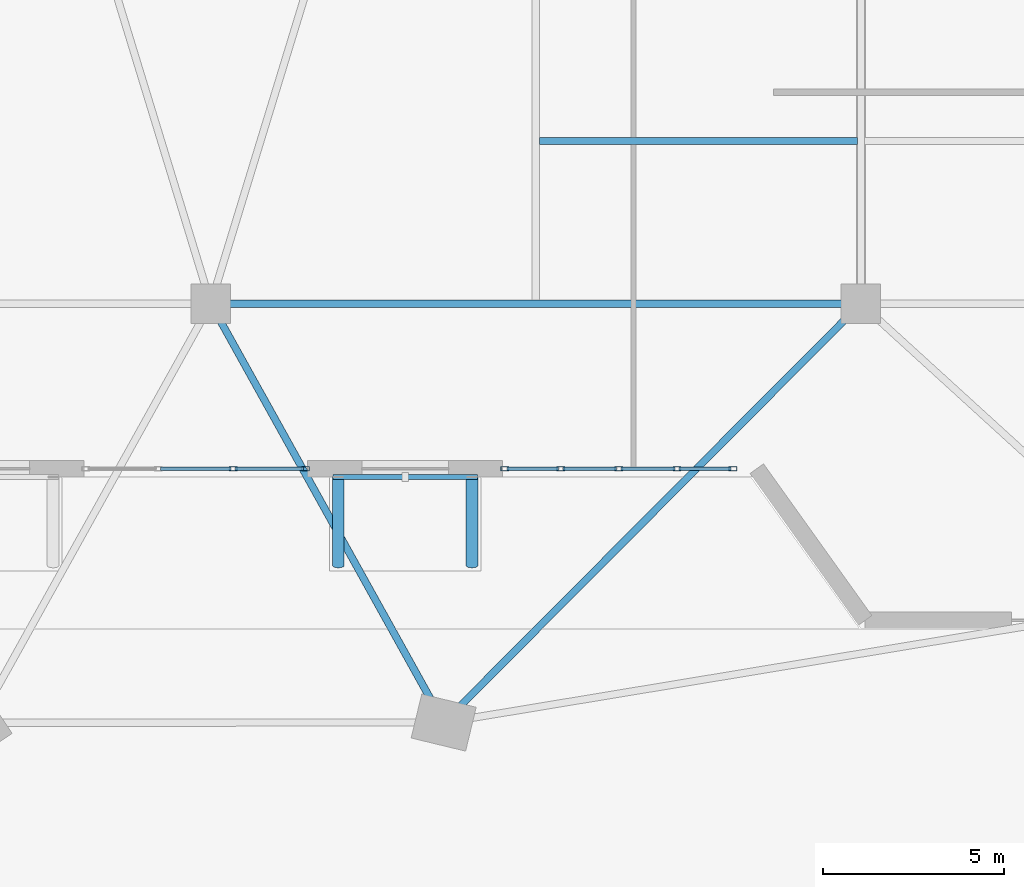
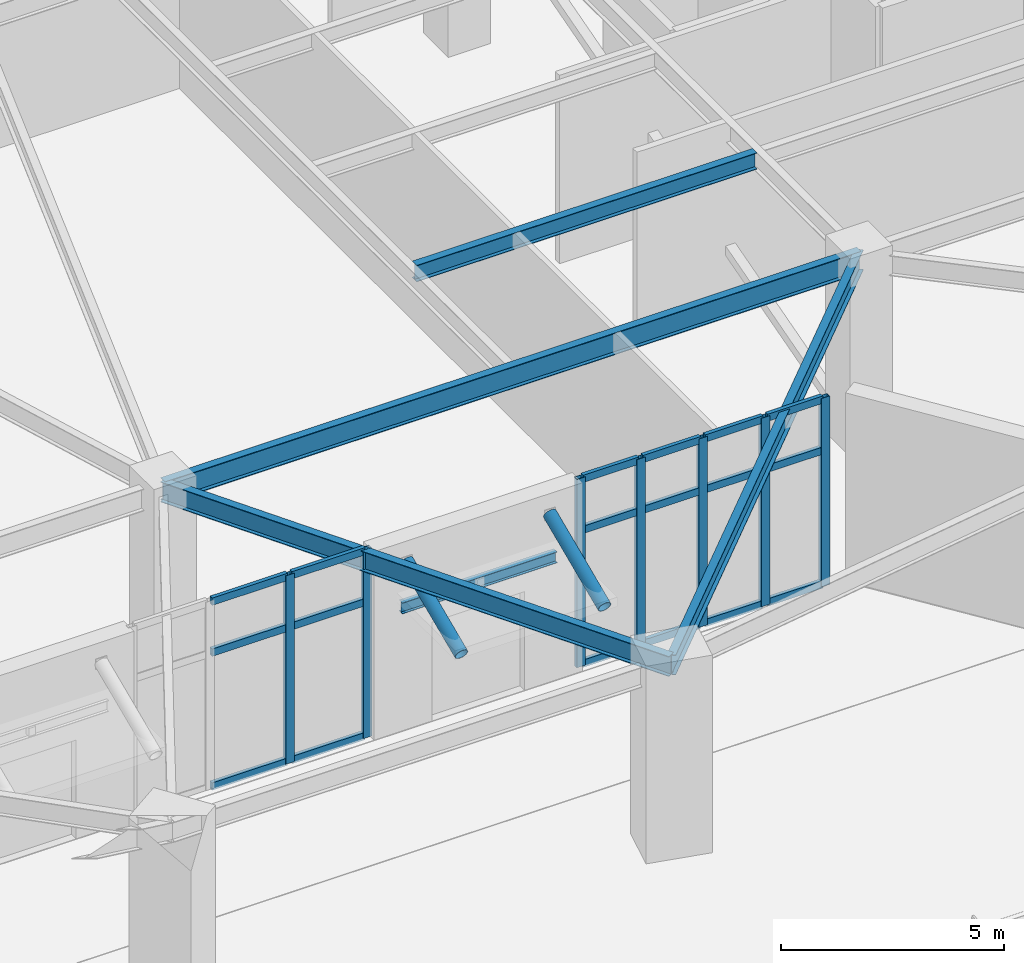
# One storey, part 6 of 30: 27 members, 5 beams, 2 elements without a shape of their own.
"""IFC4 building model written with IfcOpenShell, lengths in metres."""

from ifc_helpers import new_model, si_unit, direction, frame, origin, origin_2d, place, context, subcontext, project, spatial, hollow_rectangle, hollow_circle, i_section, extrude, source, transform, mapped, material, layer, layer_set, material_profile, profile_set, type_object, element, aggregate, save


model = new_model("IFC4")

# Units and contexts
model_context = context("Model", 3, precision=1e-05, world=origin(), true_north=direction((0.0, 1.0)))
body_context = subcontext(model_context, "Body", "Model", "MODEL_VIEW")
ifc_project = project(units=[si_unit("LENGTHUNIT", "METRE"), si_unit("AREAUNIT", "SQUARE_METRE"), si_unit("VOLUMEUNIT", "CUBIC_METRE"), si_unit("PLANEANGLEUNIT", "RADIAN"), si_unit("MASSUNIT", "GRAM", prefix="KILO")], contexts=[model_context])

# Site, building, storey
site_placement = place(None, origin())
site = spatial("IfcSite", under=ifc_project, at=site_placement, CompositionType="ELEMENT")
building_placement = place(site_placement, origin())
building = spatial("IfcBuilding", under=site, at=building_placement, Name="Liaohun Quay Tower", CompositionType="ELEMENT")
storey_placement = place(building_placement, origin())
storey = spatial("IfcBuildingStorey", under=building, at=storey_placement, Name="L01", CompositionType="ELEMENT", Elevation=0.0)

# Beams
ifc_material_1 = material(Name="Steel Q355D", Category="steel")
ifc_material_profile_1 = material_profile(ifc_material_1, i_section(OverallWidth=0.199951171875, OverallDepth=0.449951171875, WebThickness=0.009033203125, FlangeThickness=0.013916015625, at=origin_2d()), Name="HN450x200x9x14")
ifc_profile_set_1 = profile_set([ifc_material_profile_1], Name="Steel Q355D")
beam_type_1 = type_object("IfcBeamType", Name="BM-SEC-J1", PredefinedType="JOIST", material=ifc_profile_set_1)
shared_shape_1 = source(origin(), body_context, "Body", "SweptSolid", [
    extrude(i_section(OverallWidth=0.199951171875, OverallDepth=0.449951171875, WebThickness=0.009033203125, FlangeThickness=0.013916015625, at=origin_2d()), origin(), (0.0, 0.0, 1.0), 8.7998046875),
])
beam_1_placement = place(storey_placement, frame((69.10009765625, 28.5, 4.925048828125), z_axis=(1.0, 0.0, 0.0), x_axis=(0.0, 1.0, 0.0)))
element("IfcBeam", 1, at=beam_1_placement, inside=storey, type_object=beam_type_1, Name="L01 Composite Floor Joist SJ-23", PredefinedType="JOIST", context=body_context, shape_type="MappedRepresentation", body=[
    mapped(shared_shape_1, transform((0.0, 0.0, 0.0), x_axis=(1.0, 0.0, 0.0), y_axis=(0.0, 1.0, 0.0), z_axis=(0.0, 0.0, 1.0), scale=1.0)),
])
ifc_material_profile_2 = material_profile(ifc_material_1, i_section(OverallWidth=0.199951171875, OverallDepth=0.60009765625, WebThickness=0.010986328125, FlangeThickness=0.01708984375, at=origin_2d()), Name="HN600x200x11x17")
ifc_profile_set_2 = profile_set([ifc_material_profile_2], Name="Steel Q355D")
beam_type_2 = type_object("IfcBeamType", Name="BM-POD-G1", PredefinedType="BEAM", material=ifc_profile_set_2)
shared_shape_2 = source(origin(), body_context, "Body", "SweptSolid", [
    extrude(i_section(OverallWidth=0.199951171875, OverallDepth=0.60009765625, WebThickness=0.010986328125, FlangeThickness=0.01708984375, at=origin_2d()), origin(), (0.0, 0.0, 1.0), 18.0),
])
beam_2_placement = place(storey_placement, frame((60.0, 24.0, 4.85009765625), z_axis=(1.0, 0.0, 0.0), x_axis=(0.0, 1.0, 0.0)))
element("IfcBeam", 2, at=beam_2_placement, inside=storey, type_object=beam_type_2, Name="L01 Primary Grid Girder PG03-PG04", PredefinedType="BEAM", context=body_context, shape_type="MappedRepresentation", body=[
    mapped(shared_shape_2, transform((0.0, 0.0, 0.0), x_axis=(1.0, 0.0, 0.0), y_axis=(0.0, 1.0, 0.0), z_axis=(0.0, 0.0, 1.0), scale=1.0)),
])
ifc_material_profile_3 = material_profile(ifc_material_1, i_section(OverallWidth=0.199951171875, OverallDepth=0.550048828125, WebThickness=0.010009765625, FlangeThickness=0.01611328125, at=origin_2d()), Name="HN550x200x10x16")
ifc_profile_set_3 = profile_set([ifc_material_profile_3], Name="Steel Q355D")
beam_type_3 = type_object("IfcBeamType", Name="BM-POD-G2", PredefinedType="BEAM", material=ifc_profile_set_3)
shared_shape_3 = source(origin(), body_context, "Body", "SweptSolid", [
    extrude(i_section(OverallWidth=0.199951171875, OverallDepth=0.550048828125, WebThickness=0.010009765625, FlangeThickness=0.01611328125, at=origin_2d()), origin(), (0.0, 0.0, 1.0), 13.272705078125),
])
beam_3_placement = place(storey_placement, frame((66.447998046875, 12.39892578125, 4.875), z_axis=(-0.485813156466, 0.874062684826, 0.0), x_axis=(-0.874062684826, -0.485813156466, 0.0)))
element("IfcBeam", 3, at=beam_3_placement, inside=storey, type_object=beam_type_3, Name="L01 Primary Grid Girder PC11-PG03", PredefinedType="BEAM", context=body_context, shape_type="MappedRepresentation", body=[
    mapped(shared_shape_3, transform((0.0, 0.0, 0.0), x_axis=(1.0, 0.0, 0.0), y_axis=(0.0, 1.0, 0.0), z_axis=(0.0, 0.0, 1.0), scale=1.0)),
])
shared_shape_4 = source(origin(), body_context, "Body", "SweptSolid", [
    extrude(i_section(OverallWidth=0.199951171875, OverallDepth=0.550048828125, WebThickness=0.010009765625, FlangeThickness=0.01611328125, at=origin_2d()), origin(), (0.0, 0.0, 1.0), 16.371826171875),
])
beam_4_placement = place(storey_placement, frame((66.447998046875, 12.39892578125, 4.875), z_axis=(0.705606504265, 0.708603881685, 0.0), x_axis=(-0.708603881685, 0.705606504265, 0.0)))
element("IfcBeam", 4, at=beam_4_placement, inside=storey, type_object=beam_type_3, Name="L01 Primary Grid Girder PC11-PG04", PredefinedType="BEAM", context=body_context, shape_type="MappedRepresentation", body=[
    mapped(shared_shape_4, transform((0.0, 0.0, 0.0), x_axis=(1.0, 0.0, 0.0), y_axis=(0.0, 1.0, 0.0), z_axis=(0.0, 0.0, 1.0), scale=1.0)),
])

# Curtain wall, members
ifc_material_2 = material(Name="Thermally broken waterfront lobby unitised curtain wall")
ifc_layer = layer(ifc_material_2, 0.219970703125, Name="Thermally broken waterfront lobby unitised curtain wall")
ifc_layer_set = layer_set([ifc_layer], Name="Thermally broken waterfront lobby unitised curtain wall")
curtain_wall_type = type_object("IfcCurtainWallType", Name="CW-POD-PROM", PredefinedType="NOTDEFINED", material=ifc_layer_set)
curtain_wall_1_placement = place(storey_placement, origin())
curtain_wall_1 = element("IfcCurtainWall", 5, at=curtain_wall_1_placement, inside=storey, type_object=curtain_wall_type, Name="L01 Waterfront Lobby Curtain Wall CW1-2", PredefinedType="NOTDEFINED")
ifc_material_3 = material(Name="Anodised aluminium 6063-T6", Category="aluminium")
ifc_material_profile_4 = material_profile(ifc_material_3, hollow_rectangle(XDim=0.1201171875, YDim=0.219970703125, WallThickness=0.008056640625, at=origin_2d()), Name="RHS220x120x8")
ifc_profile_set_4 = profile_set([ifc_material_profile_4], Name="Anodised aluminium 6063-T6")
member_type_1 = type_object("IfcMemberType", Name="MEM-CWM-LOB", PredefinedType="MULLION", material=ifc_profile_set_4)
shared_shape_5 = source(origin(), body_context, "Body", "SweptSolid", [
    extrude(hollow_rectangle(XDim=0.1201171875, YDim=0.219970703125, WallThickness=0.008056640625, at=origin_2d()), origin(), (0.0, 0.0, 1.0), 5.14990234375),
])
member_1_placement = place(storey_placement, frame((60.615234375, 19.429931640625, 0.0), z_axis=(0.0, 0.0, 1.0), x_axis=(0.0, 1.0, 0.0)))
member_1 = element("IfcMember", 6, at=member_1_placement, type_object=member_type_1, Name="CW1 mullion 3", PredefinedType="MULLION", context=body_context, shape_type="MappedRepresentation", body=[
    mapped(shared_shape_5, transform((0.0, 0.0, 0.0), x_axis=(1.0, 0.0, 0.0), y_axis=(0.0, 1.0, 0.0), z_axis=(0.0, 0.0, 1.0), scale=1.0)),
])
member_2_placement = place(storey_placement, frame((62.6220703125, 19.429931640625, 0.0), z_axis=(0.0, 0.0, 1.0), x_axis=(0.0, 1.0, 0.0)))
member_2 = element("IfcMember", 7, at=member_2_placement, type_object=member_type_1, Name="CW1 mullion 4", PredefinedType="MULLION", context=body_context, shape_type="MappedRepresentation", body=[
    mapped(shared_shape_5, transform((0.0, 0.0, 0.0), x_axis=(1.0, 0.0, 0.0), y_axis=(0.0, 1.0, 0.0), z_axis=(0.0, 0.0, 1.0), scale=1.0)),
])

curtain_wall_2_placement = place(storey_placement, origin())
curtain_wall_2 = element("IfcCurtainWall", 8, at=curtain_wall_2_placement, inside=storey, type_object=curtain_wall_type, Name="L01 Waterfront Lobby Curtain Wall CW1-3", PredefinedType="NOTDEFINED")
member_3_placement = place(storey_placement, frame((68.14208984375, 19.429931640625, 0.0), z_axis=(0.0, 0.0, 1.0), x_axis=(0.0, 1.0, 0.0)))
member_3 = element("IfcMember", 9, at=member_3_placement, type_object=member_type_1, Name="CW1 mullion 1", PredefinedType="MULLION", context=body_context, shape_type="MappedRepresentation", body=[
    mapped(shared_shape_5, transform((0.0, 0.0, 0.0), x_axis=(1.0, 0.0, 0.0), y_axis=(0.0, 1.0, 0.0), z_axis=(0.0, 0.0, 1.0), scale=1.0)),
])
member_4_placement = place(storey_placement, frame((69.69091796875, 19.429931640625, 0.0), z_axis=(0.0, 0.0, 1.0), x_axis=(0.0, 1.0, 0.0)))
member_4 = element("IfcMember", 10, at=member_4_placement, type_object=member_type_1, Name="CW1 mullion 2", PredefinedType="MULLION", context=body_context, shape_type="MappedRepresentation", body=[
    mapped(shared_shape_5, transform((0.0, 0.0, 0.0), x_axis=(1.0, 0.0, 0.0), y_axis=(0.0, 1.0, 0.0), z_axis=(0.0, 0.0, 1.0), scale=1.0)),
])
member_5_placement = place(storey_placement, frame((71.300048828125, 19.429931640625, 0.0), z_axis=(0.0, 0.0, 1.0), x_axis=(0.0, 1.0, 0.0)))
member_5 = element("IfcMember", 11, at=member_5_placement, type_object=member_type_1, Name="CW1 mullion 3", PredefinedType="MULLION", context=body_context, shape_type="MappedRepresentation", body=[
    mapped(shared_shape_5, transform((0.0, 0.0, 0.0), x_axis=(1.0, 0.0, 0.0), y_axis=(0.0, 1.0, 0.0), z_axis=(0.0, 0.0, 1.0), scale=1.0)),
])
member_6_placement = place(storey_placement, frame((72.908935546875, 19.429931640625, 0.0), z_axis=(0.0, 0.0, 1.0), x_axis=(0.0, 1.0, 0.0)))
member_6 = element("IfcMember", 12, at=member_6_placement, type_object=member_type_1, Name="CW1 mullion 4", PredefinedType="MULLION", context=body_context, shape_type="MappedRepresentation", body=[
    mapped(shared_shape_5, transform((0.0, 0.0, 0.0), x_axis=(1.0, 0.0, 0.0), y_axis=(0.0, 1.0, 0.0), z_axis=(0.0, 0.0, 1.0), scale=1.0)),
])
member_7_placement = place(storey_placement, frame((74.4580078125, 19.429931640625, 0.0), z_axis=(0.0, 0.0, 1.0), x_axis=(0.0, 1.0, 0.0)))
member_7 = element("IfcMember", 13, at=member_7_placement, type_object=member_type_1, Name="CW1 mullion 5", PredefinedType="MULLION", context=body_context, shape_type="MappedRepresentation", body=[
    mapped(shared_shape_5, transform((0.0, 0.0, 0.0), x_axis=(1.0, 0.0, 0.0), y_axis=(0.0, 1.0, 0.0), z_axis=(0.0, 0.0, 1.0), scale=1.0)),
])

# Member
ifc_material_profile_5 = material_profile(ifc_material_3, hollow_rectangle(XDim=0.10009765625, YDim=0.199951171875, WallThickness=0.006103515625, at=origin_2d()), Name="RHS200x100x6")
ifc_profile_set_5 = profile_set([ifc_material_profile_5], Name="Anodised aluminium 6063-T6")
member_type_2 = type_object("IfcMemberType", Name="MEM-CWT-LOB", PredefinedType="USERDEFINED", material=ifc_profile_set_5)
shared_shape_6 = source(origin(), body_context, "Body", "SweptSolid", [
    extrude(hollow_rectangle(XDim=0.10009765625, YDim=0.199951171875, WallThickness=0.006103515625, at=origin_2d()), origin(), (0.0, 0.0, 1.0), 1.88671875),
])
member_8_placement = place(storey_placement, frame((60.67529296875, 19.429931640625, 0.050048828125), z_axis=(1.0, 0.0, 0.0), x_axis=(0.0, 1.0, 0.0)))
member_8 = element("IfcMember", 14, at=member_8_placement, type_object=member_type_2, Name="CW1 transom 3.1", ObjectType="TRANSOM", PredefinedType="USERDEFINED", context=body_context, shape_type="MappedRepresentation", body=[
    mapped(shared_shape_6, transform((0.0, 0.0, 0.0), x_axis=(1.0, 0.0, 0.0), y_axis=(0.0, 1.0, 0.0), z_axis=(0.0, 0.0, 1.0), scale=1.0)),
])

member_9_placement = place(storey_placement, frame((60.67529296875, 19.429931640625, 3.7080078125), z_axis=(1.0, 0.0, 0.0), x_axis=(0.0, 1.0, 0.0)))
member_9 = element("IfcMember", 15, at=member_9_placement, type_object=member_type_2, Name="CW1 transom 3.2", ObjectType="TRANSOM", PredefinedType="USERDEFINED", context=body_context, shape_type="MappedRepresentation", body=[
    mapped(shared_shape_6, transform((0.0, 0.0, 0.0), x_axis=(1.0, 0.0, 0.0), y_axis=(0.0, 1.0, 0.0), z_axis=(0.0, 0.0, 1.0), scale=1.0)),
])

member_10_placement = place(storey_placement, frame((60.67529296875, 19.429931640625, 5.10009765625), z_axis=(1.0, 0.0, 0.0), x_axis=(0.0, 1.0, 0.0)))
member_10 = element("IfcMember", 16, at=member_10_placement, type_object=member_type_2, Name="CW1 transom 3.3", ObjectType="TRANSOM", PredefinedType="USERDEFINED", context=body_context, shape_type="MappedRepresentation", body=[
    mapped(shared_shape_6, transform((0.0, 0.0, 0.0), x_axis=(1.0, 0.0, 0.0), y_axis=(0.0, 1.0, 0.0), z_axis=(0.0, 0.0, 1.0), scale=1.0)),
])

shared_shape_7 = source(origin(), body_context, "Body", "SweptSolid", [
    extrude(hollow_rectangle(XDim=0.10009765625, YDim=0.199951171875, WallThickness=0.006103515625, at=origin_2d()), origin(), (0.0, 0.0, 1.0), 1.94677734375),
])
member_11_placement = place(storey_placement, frame((58.608642578125, 19.429931640625, 0.050048828125), z_axis=(1.0, 0.0, 0.0), x_axis=(0.0, 1.0, 0.0)))
member_11 = element("IfcMember", 17, at=member_11_placement, type_object=member_type_2, Name="CW1 transom 2.1", ObjectType="TRANSOM", PredefinedType="USERDEFINED", context=body_context, shape_type="MappedRepresentation", body=[
    mapped(shared_shape_7, transform((0.0, 0.0, 0.0), x_axis=(1.0, 0.0, 0.0), y_axis=(0.0, 1.0, 0.0), z_axis=(0.0, 0.0, 1.0), scale=1.0)),
])

member_12_placement = place(storey_placement, frame((58.608642578125, 19.429931640625, 3.7080078125), z_axis=(1.0, 0.0, 0.0), x_axis=(0.0, 1.0, 0.0)))
member_12 = element("IfcMember", 18, at=member_12_placement, type_object=member_type_2, Name="CW1 transom 2.2", ObjectType="TRANSOM", PredefinedType="USERDEFINED", context=body_context, shape_type="MappedRepresentation", body=[
    mapped(shared_shape_7, transform((0.0, 0.0, 0.0), x_axis=(1.0, 0.0, 0.0), y_axis=(0.0, 1.0, 0.0), z_axis=(0.0, 0.0, 1.0), scale=1.0)),
])

member_13_placement = place(storey_placement, frame((58.608642578125, 19.429931640625, 5.10009765625), z_axis=(1.0, 0.0, 0.0), x_axis=(0.0, 1.0, 0.0)))
member_13 = element("IfcMember", 19, at=member_13_placement, type_object=member_type_2, Name="CW1 transom 2.3", ObjectType="TRANSOM", PredefinedType="USERDEFINED", context=body_context, shape_type="MappedRepresentation", body=[
    mapped(shared_shape_7, transform((0.0, 0.0, 0.0), x_axis=(1.0, 0.0, 0.0), y_axis=(0.0, 1.0, 0.0), z_axis=(0.0, 0.0, 1.0), scale=1.0)),
])

aggregate(curtain_wall_1, [member_1, member_2, member_11, member_12, member_13, member_8, member_9, member_10])

shared_shape_8 = source(origin(), body_context, "Body", "SweptSolid", [
    extrude(hollow_rectangle(XDim=0.10009765625, YDim=0.199951171875, WallThickness=0.006103515625, at=origin_2d()), origin(), (0.0, 0.0, 1.0), 1.42919921875),
])
member_14_placement = place(storey_placement, frame((68.201904296875, 19.429931640625, 0.050048828125), z_axis=(1.0, 0.0, 0.0), x_axis=(0.0, 1.0, 0.0)))
member_14 = element("IfcMember", 20, at=member_14_placement, type_object=member_type_2, Name="CW1 transom 1.1", ObjectType="TRANSOM", PredefinedType="USERDEFINED", context=body_context, shape_type="MappedRepresentation", body=[
    mapped(shared_shape_8, transform((0.0, 0.0, 0.0), x_axis=(1.0, 0.0, 0.0), y_axis=(0.0, 1.0, 0.0), z_axis=(0.0, 0.0, 1.0), scale=1.0)),
])

member_15_placement = place(storey_placement, frame((68.201904296875, 19.429931640625, 3.7080078125), z_axis=(1.0, 0.0, 0.0), x_axis=(0.0, 1.0, 0.0)))
member_15 = element("IfcMember", 21, at=member_15_placement, type_object=member_type_2, Name="CW1 transom 1.2", ObjectType="TRANSOM", PredefinedType="USERDEFINED", context=body_context, shape_type="MappedRepresentation", body=[
    mapped(shared_shape_8, transform((0.0, 0.0, 0.0), x_axis=(1.0, 0.0, 0.0), y_axis=(0.0, 1.0, 0.0), z_axis=(0.0, 0.0, 1.0), scale=1.0)),
])

member_16_placement = place(storey_placement, frame((68.201904296875, 19.429931640625, 5.10009765625), z_axis=(1.0, 0.0, 0.0), x_axis=(0.0, 1.0, 0.0)))
member_16 = element("IfcMember", 22, at=member_16_placement, type_object=member_type_2, Name="CW1 transom 1.3", ObjectType="TRANSOM", PredefinedType="USERDEFINED", context=body_context, shape_type="MappedRepresentation", body=[
    mapped(shared_shape_8, transform((0.0, 0.0, 0.0), x_axis=(1.0, 0.0, 0.0), y_axis=(0.0, 1.0, 0.0), z_axis=(0.0, 0.0, 1.0), scale=1.0)),
])

shared_shape_9 = source(origin(), body_context, "Body", "SweptSolid", [
    extrude(hollow_rectangle(XDim=0.10009765625, YDim=0.199951171875, WallThickness=0.006103515625, at=origin_2d()), origin(), (0.0, 0.0, 1.0), 1.489013671875),
])
member_17_placement = place(storey_placement, frame((69.7509765625, 19.429931640625, 0.050048828125), z_axis=(1.0, 0.0, 0.0), x_axis=(0.0, 1.0, 0.0)))
member_17 = element("IfcMember", 23, at=member_17_placement, type_object=member_type_2, Name="CW1 transom 2.1", ObjectType="TRANSOM", PredefinedType="USERDEFINED", context=body_context, shape_type="MappedRepresentation", body=[
    mapped(shared_shape_9, transform((0.0, 0.0, 0.0), x_axis=(1.0, 0.0, 0.0), y_axis=(0.0, 1.0, 0.0), z_axis=(0.0, 0.0, 1.0), scale=1.0)),
])

member_18_placement = place(storey_placement, frame((69.7509765625, 19.429931640625, 3.7080078125), z_axis=(1.0, 0.0, 0.0), x_axis=(0.0, 1.0, 0.0)))
member_18 = element("IfcMember", 24, at=member_18_placement, type_object=member_type_2, Name="CW1 transom 2.2", ObjectType="TRANSOM", PredefinedType="USERDEFINED", context=body_context, shape_type="MappedRepresentation", body=[
    mapped(shared_shape_9, transform((0.0, 0.0, 0.0), x_axis=(1.0, 0.0, 0.0), y_axis=(0.0, 1.0, 0.0), z_axis=(0.0, 0.0, 1.0), scale=1.0)),
])

member_19_placement = place(storey_placement, frame((69.7509765625, 19.429931640625, 5.10009765625), z_axis=(1.0, 0.0, 0.0), x_axis=(0.0, 1.0, 0.0)))
member_19 = element("IfcMember", 25, at=member_19_placement, type_object=member_type_2, Name="CW1 transom 2.3", ObjectType="TRANSOM", PredefinedType="USERDEFINED", context=body_context, shape_type="MappedRepresentation", body=[
    mapped(shared_shape_9, transform((0.0, 0.0, 0.0), x_axis=(1.0, 0.0, 0.0), y_axis=(0.0, 1.0, 0.0), z_axis=(0.0, 0.0, 1.0), scale=1.0)),
])

member_20_placement = place(storey_placement, frame((71.360107421875, 19.429931640625, 0.050048828125), z_axis=(1.0, 0.0, 0.0), x_axis=(0.0, 1.0, 0.0)))
member_20 = element("IfcMember", 26, at=member_20_placement, type_object=member_type_2, Name="CW1 transom 3.1", ObjectType="TRANSOM", PredefinedType="USERDEFINED", context=body_context, shape_type="MappedRepresentation", body=[
    mapped(shared_shape_9, transform((0.0, 0.0, 0.0), x_axis=(1.0, 0.0, 0.0), y_axis=(0.0, 1.0, 0.0), z_axis=(0.0, 0.0, 1.0), scale=1.0)),
])

member_21_placement = place(storey_placement, frame((71.360107421875, 19.429931640625, 3.7080078125), z_axis=(1.0, 0.0, 0.0), x_axis=(0.0, 1.0, 0.0)))
member_21 = element("IfcMember", 27, at=member_21_placement, type_object=member_type_2, Name="CW1 transom 3.2", ObjectType="TRANSOM", PredefinedType="USERDEFINED", context=body_context, shape_type="MappedRepresentation", body=[
    mapped(shared_shape_9, transform((0.0, 0.0, 0.0), x_axis=(1.0, 0.0, 0.0), y_axis=(0.0, 1.0, 0.0), z_axis=(0.0, 0.0, 1.0), scale=1.0)),
])

member_22_placement = place(storey_placement, frame((71.360107421875, 19.429931640625, 5.10009765625), z_axis=(1.0, 0.0, 0.0), x_axis=(0.0, 1.0, 0.0)))
member_22 = element("IfcMember", 28, at=member_22_placement, type_object=member_type_2, Name="CW1 transom 3.3", ObjectType="TRANSOM", PredefinedType="USERDEFINED", context=body_context, shape_type="MappedRepresentation", body=[
    mapped(shared_shape_9, transform((0.0, 0.0, 0.0), x_axis=(1.0, 0.0, 0.0), y_axis=(0.0, 1.0, 0.0), z_axis=(0.0, 0.0, 1.0), scale=1.0)),
])

shared_shape_10 = source(origin(), body_context, "Body", "SweptSolid", [
    extrude(hollow_rectangle(XDim=0.10009765625, YDim=0.199951171875, WallThickness=0.006103515625, at=origin_2d()), origin(), (0.0, 0.0, 1.0), 1.428955078125),
])
member_23_placement = place(storey_placement, frame((72.968994140625, 19.429931640625, 0.050048828125), z_axis=(1.0, 0.0, 0.0), x_axis=(0.0, 1.0, 0.0)))
member_23 = element("IfcMember", 29, at=member_23_placement, type_object=member_type_2, Name="CW1 transom 4.1", ObjectType="TRANSOM", PredefinedType="USERDEFINED", context=body_context, shape_type="MappedRepresentation", body=[
    mapped(shared_shape_10, transform((0.0, 0.0, 0.0), x_axis=(1.0, 0.0, 0.0), y_axis=(0.0, 1.0, 0.0), z_axis=(0.0, 0.0, 1.0), scale=1.0)),
])

member_24_placement = place(storey_placement, frame((72.968994140625, 19.429931640625, 3.7080078125), z_axis=(1.0, 0.0, 0.0), x_axis=(0.0, 1.0, 0.0)))
member_24 = element("IfcMember", 30, at=member_24_placement, type_object=member_type_2, Name="CW1 transom 4.2", ObjectType="TRANSOM", PredefinedType="USERDEFINED", context=body_context, shape_type="MappedRepresentation", body=[
    mapped(shared_shape_10, transform((0.0, 0.0, 0.0), x_axis=(1.0, 0.0, 0.0), y_axis=(0.0, 1.0, 0.0), z_axis=(0.0, 0.0, 1.0), scale=1.0)),
])

member_25_placement = place(storey_placement, frame((72.968994140625, 19.429931640625, 5.10009765625), z_axis=(1.0, 0.0, 0.0), x_axis=(0.0, 1.0, 0.0)))
member_25 = element("IfcMember", 31, at=member_25_placement, type_object=member_type_2, Name="CW1 transom 4.3", ObjectType="TRANSOM", PredefinedType="USERDEFINED", context=body_context, shape_type="MappedRepresentation", body=[
    mapped(shared_shape_10, transform((0.0, 0.0, 0.0), x_axis=(1.0, 0.0, 0.0), y_axis=(0.0, 1.0, 0.0), z_axis=(0.0, 0.0, 1.0), scale=1.0)),
])

aggregate(curtain_wall_2, [member_3, member_4, member_5, member_6, member_7, member_14, member_15, member_16, member_17, member_18, member_19, member_20, member_21, member_22, member_23, member_24, member_25])

# Beam
ifc_material_profile_6 = material_profile(ifc_material_1, i_section(OverallWidth=0.14990234375, OverallDepth=0.300048828125, WebThickness=0.006591796875, FlangeThickness=0.009033203125, at=origin_2d()), Name="HN300x150x6.5x9")
ifc_profile_set_6 = profile_set([ifc_material_profile_6], Name="Steel Q355D")
beam_type_4 = type_object("IfcBeamType", Name="BM-CAN-P1", PredefinedType="USERDEFINED", material=ifc_profile_set_6)
shared_shape_11 = source(origin(), body_context, "Body", "SweptSolid", [
    extrude(i_section(OverallWidth=0.14990234375, OverallDepth=0.300048828125, WebThickness=0.006591796875, FlangeThickness=0.009033203125, at=origin_2d()), origin(), (0.0, 0.0, 1.0), 4.0),
])
beam_5_placement = place(storey_placement, frame((63.382080078125, 19.199951171875, 3.39990234375), z_axis=(1.0, 0.0, 0.0), x_axis=(0.0, 1.0, 0.0)))
element("IfcBeam", 32, at=beam_5_placement, inside=storey, type_object=beam_type_4, Name="L01 Entrance Canopy W Ledger Beam", ObjectType="PURLIN", PredefinedType="USERDEFINED", context=body_context, shape_type="MappedRepresentation", body=[
    mapped(shared_shape_11, transform((0.0, 0.0, 0.0), x_axis=(1.0, 0.0, 0.0), y_axis=(0.0, 1.0, 0.0), z_axis=(0.0, 0.0, 1.0), scale=1.0)),
])

# Members
ifc_material_profile_7 = material_profile(ifc_material_1, hollow_circle(Radius=0.16259765625, WallThickness=0.013916015625, at=origin_2d()), Name="CHS325x14")
ifc_profile_set_7 = profile_set([ifc_material_profile_7], Name="Steel Q355D")
member_type_3 = type_object("IfcMemberType", Name="MEM-CAN-STR", PredefinedType="STRUT", material=ifc_profile_set_7)
shared_shape_12 = source(origin(), body_context, "Body", "SweptSolid", [
    extrude(hollow_circle(Radius=0.16259765625, WallThickness=0.013916015625, at=origin_2d()), origin(), (0.0, 0.0, 1.0), 2.66943359375),
])
for number, where, z_axis, x_axis, name in (
    (33, (63.531982421875, 19.199951171875, 4.60009765625), (0.0, -0.91777236799, -0.397106888073), (1.0, 0.0, 0.0), "L01 Entrance Canopy W Suspension Tie Strut 1"),
    (34, (67.23193359375, 19.199951171875, 4.60009765625), (0.0, -0.91777236799, -0.397106888073), (1.0, 0.0, 0.0), "L01 Entrance Canopy W Suspension Tie Strut 2"),
):
    element("IfcMember", number, at=place(storey_placement, frame(where, z_axis=z_axis, x_axis=x_axis)), inside=storey, type_object=member_type_3, Name=name, PredefinedType="STRUT", context=body_context, shape_type="MappedRepresentation", body=[
        mapped(shared_shape_12, transform((0.0, 0.0, 0.0), x_axis=(1.0, 0.0, 0.0), y_axis=(0.0, 1.0, 0.0), z_axis=(0.0, 0.0, 1.0), scale=1.0)),
    ])

save(model, "model.ifc")
